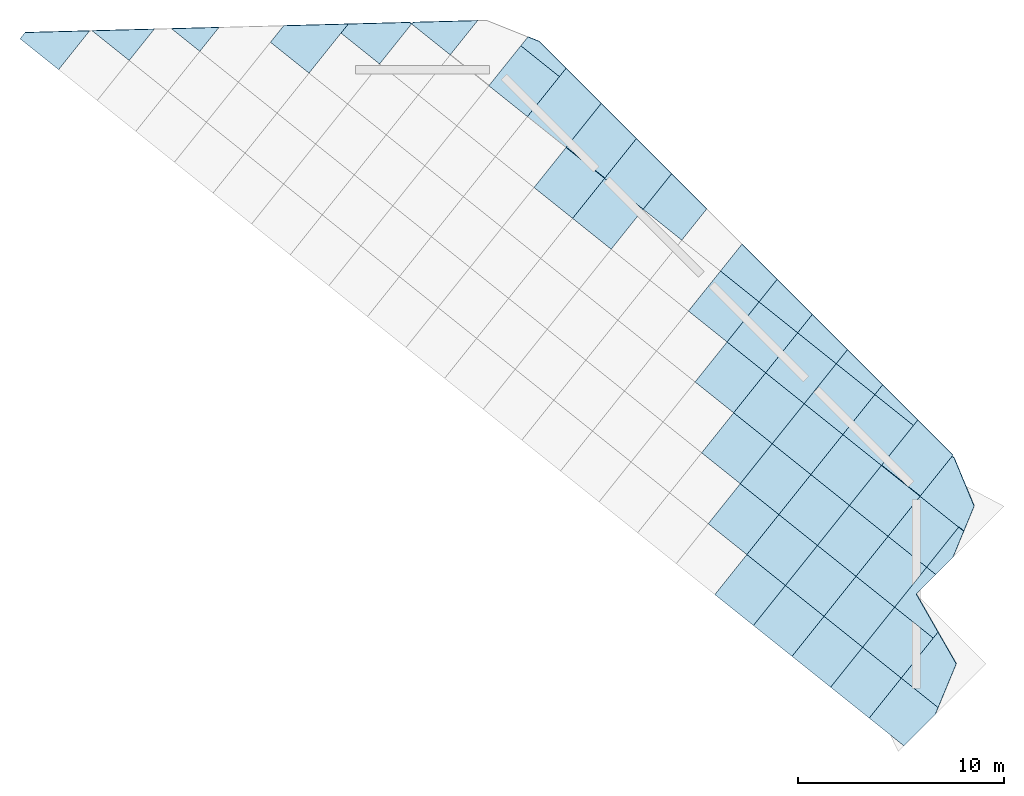
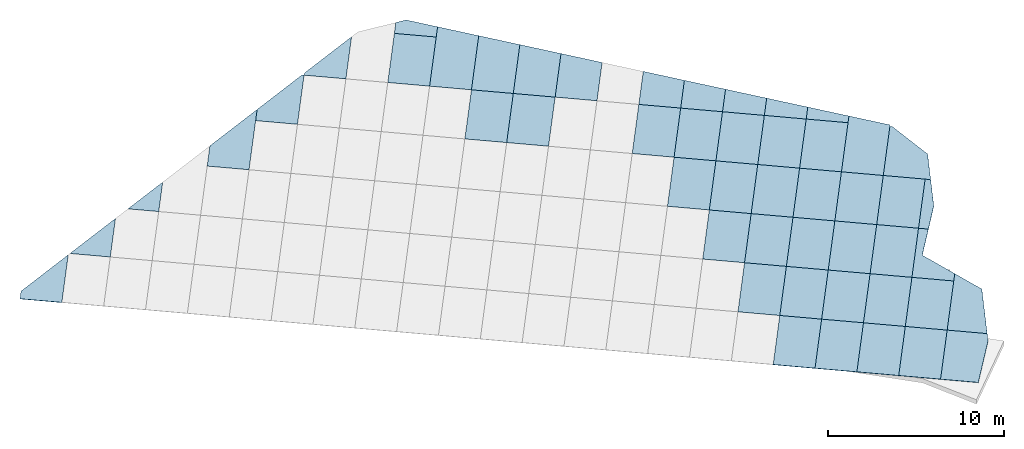
# One storey, part 2 of 2: 50 plates.
"""IFC4 building model written with IfcOpenShell, lengths in metres."""

from ifc_helpers import new_model, si_unit, direction, frame, origin, place, context, subcontext, project, spatial, polyline, outline, extrude, material, layer, layer_set, type_object, element, save


model = new_model("IFC4")

# Units and contexts
model_context = context("Model", 3, precision=1e-05, world=origin(), true_north=direction((0.0, 1.0)))
body_context = subcontext(model_context, "Body", "Model", "MODEL_VIEW")
ifc_project = project(units=[si_unit("LENGTHUNIT", "METRE"), si_unit("AREAUNIT", "SQUARE_METRE"), si_unit("VOLUMEUNIT", "CUBIC_METRE"), si_unit("PLANEANGLEUNIT", "RADIAN"), si_unit("MASSUNIT", "GRAM", prefix="KILO")], contexts=[model_context])

# Site, building, storey
site_placement = place(None, origin())
site = spatial("IfcSite", under=ifc_project, at=site_placement, CompositionType="ELEMENT")
building_placement = place(site_placement, origin())
building = spatial("IfcBuilding", under=site, at=building_placement, Name="Windrow Commons", CompositionType="ELEMENT")
storey_placement = place(building_placement, frame((0.0, 0.0, 313.4)))
storey = spatial("IfcBuildingStorey", under=building, at=storey_placement, Name="Roof", CompositionType="ELEMENT", Elevation=313.4)

# Plates
ifc_material = material(Name="Laminated glass in aluminium frame", Category="aluminium")
ifc_layer = layer(ifc_material, 0.04)
ifc_layer_set = layer_set([ifc_layer], Name="Crown glazing panel 2400x3000")
plate_type = type_object("IfcPlateType", Name="Crown glazing panel 2400x3000", PredefinedType="SHEET", material=ifc_layer_set)
plate_1_placement = place(storey_placement, frame((100.4839, 40.6752, 2.3585), z_axis=(-0.3493342148, -0.4366577576, 0.829032936), x_axis=(-0.5873162286, -0.5873535793, -0.5568441619)))
element("IfcPlate", 1, at=plate_1_placement, inside=storey, type_object=plate_type, Name="Crown glazing 228", PredefinedType="SHEET", context=body_context, shape_type="SweptSolid", body=[
    extrude(outline(polyline([(0.0, 0.0), (2.5678, 0.0), (2.7662, -2.1553), (-0.2212, -2.4305), (-0.4315, -0.1466), (0.0, 0.0)])), origin(), (0.0, 0.0, -1.0), 0.04),
])
plate_2_placement = place(storey_placement, frame((97.2857, 40.5192, 0.9287), z_axis=(-0.3493286265, -0.4366578706, 0.8290352313), x_axis=(-0.7808793494, 0.6246818722, -1.35754e-05)))
element("IfcPlate", 2, at=plate_2_placement, inside=storey, type_object=plate_type, Name="Crown glazing 229", PredefinedType="SHEET", context=body_context, shape_type="SweptSolid", body=[
    extrude(outline(polyline([(0.0, 0.0), (2.4, 0.0), (2.4, -3.0001), (0.0, -3.0), (0.0, 0.0)])), origin(), (0.0, 0.0, -1.0), 0.04),
])
plate_3_placement = place(storey_placement, frame((95.4116, 42.0184, 0.9287), z_axis=(-0.3493199284, -0.4366586479, 0.829038487), x_axis=(-0.7808679222, 0.6246961565, 7.5417e-06)))
element("IfcPlate", 3, at=plate_3_placement, inside=storey, type_object=plate_type, Name="Crown glazing 230", PredefinedType="SHEET", context=body_context, shape_type="SweptSolid", body=[
    extrude(outline(polyline([(0.0, 0.0), (2.4, 0.0), (2.4, -3.0), (0.0001, -3.0001), (0.0, 0.0)])), origin(), (0.0, 0.0, -1.0), 0.04),
])
plate_4_placement = place(storey_placement, frame((93.5375, 43.5177, 0.9287), z_axis=(-0.349330801, -0.4366576763, 0.8290344174), x_axis=(-0.7808647444, 0.6247001288, 0.0)))
element("IfcPlate", 4, at=plate_4_placement, inside=storey, type_object=plate_type, Name="Crown glazing 231", PredefinedType="SHEET", context=body_context, shape_type="SweptSolid", body=[
    extrude(outline(polyline([(0.0, 0.0), (2.4, 0.0), (2.4, -3.0), (0.0, -3.0), (0.0, 0.0)])), origin(), (0.0, 0.0, -1.0), 0.04),
])
plate_5_placement = place(storey_placement, frame((91.6634, 45.017, 0.9287), z_axis=(-0.3493199284, -0.4366586479, 0.829038487), x_axis=(-0.7808818918, 0.6246786943, -7.5419e-06)))
element("IfcPlate", 5, at=plate_5_placement, inside=storey, type_object=plate_type, Name="Crown glazing 232", PredefinedType="SHEET", context=body_context, shape_type="SweptSolid", body=[
    extrude(outline(polyline([(0.0, 0.0), (2.4, 0.0), (2.4, -3.0001), (-0.0001, -3.0), (0.0, 0.0)])), origin(), (0.0, 0.0, -1.0), 0.04),
])
plate_6_placement = place(storey_placement, frame((59.4367, 73.8873, 2.5557), z_axis=(-0.3493330598, -0.4366684946, 0.8290277674), x_axis=(-0.5178895406, -0.6473619257, -0.5592074399)))
element("IfcPlate", 6, at=plate_6_placement, inside=storey, type_object=plate_type, Name="Crown glazing 250", PredefinedType="SHEET", context=body_context, shape_type="SweptSolid", body=[
    extrude(outline(polyline([(0.0, 0.0), (2.9095, 0.0), (2.9095, -2.4), (2.4433, -2.4001), (0.0, 0.0)])), origin(), (0.0, 0.0, -1.0), 0.04),
])
plate_7_placement = place(storey_placement, frame((98.8393, 42.4613, 2.6063), z_axis=(-0.3493394993, -0.436656899, 0.8290311615), x_axis=(-0.780851026, 0.6247172762, 6.0337e-06)))
element("IfcPlate", 7, at=plate_7_placement, inside=storey, type_object=plate_type, Name="Crown glazing 251", PredefinedType="SHEET", context=body_context, shape_type="SweptSolid", body=[
    extrude(outline(polyline([(0.0, 0.0), (2.4, 0.0), (2.4001, -3.0), (0.0001, -3.0), (0.0, 0.0)])), origin(), (0.0, 0.0, -1.0), 0.04),
])
plate_8_placement = place(storey_placement, frame((96.9653, 43.9606, 2.6063), z_axis=(-0.3493252917, -0.436668265, 0.8290311616), x_axis=(-0.7808825273, 0.6246778998, -6.0334e-06)))
element("IfcPlate", 8, at=plate_8_placement, inside=storey, type_object=plate_type, Name="Crown glazing 252", PredefinedType="SHEET", context=body_context, shape_type="SweptSolid", body=[
    extrude(outline(polyline([(0.0, 0.0), (2.4, 0.0), (2.3999, -3.0), (0.0, -3.0), (0.0, 0.0)])), origin(), (0.0, 0.0, -1.0), 0.04),
])
for number, where, z_axis, x_axis, name in (
    (9, (95.0912, 45.4598, 2.6063), (-0.349330801, -0.4366576763, 0.8290344174), (-0.7808647444, 0.6247001288, 0.0), "Crown glazing 253"),
    (10, (93.2171, 46.9591, 2.6063), (-0.349330801, -0.4366576763, 0.8290344174), (-0.7808647444, 0.6247001288, 0.0), "Crown glazing 254"),
):
    element("IfcPlate", number, at=place(storey_placement, frame(where, z_axis=z_axis, x_axis=x_axis)), inside=storey, type_object=plate_type, Name=name, PredefinedType="SHEET", context=body_context, shape_type="SweptSolid", body=[
        extrude(outline(polyline([(0.0, 0.0), (2.4, 0.0), (2.4, -3.0), (0.0, -3.0), (0.0, 0.0)])), origin(), (0.0, 0.0, -1.0), 0.04),
    ])
plate_9_placement = place(storey_placement, frame((91.343, 48.4584, 2.6063), z_axis=(-0.3493165936, -0.4366690422, 0.8290344173), x_axis=(-0.7808850696, 0.6246747219, 0.0)))
element("IfcPlate", 11, at=plate_9_placement, inside=storey, type_object=plate_type, Name="Crown glazing 255", PredefinedType="SHEET", context=body_context, shape_type="SweptSolid", body=[
    extrude(outline(polyline([(0.0, 0.0), (2.4, 0.0), (2.3999, -3.0), (-0.0001, -3.0), (0.0, 0.0)])), origin(), (0.0, 0.0, -1.0), 0.04),
])
plate_10_placement = place(storey_placement, frame((62.5762, 73.9698, 3.922), z_axis=(-0.3493226563, -0.436641223, 0.8290465151), x_axis=(-0.5179116181, -0.6473682723, -0.5591796454)))
element("IfcPlate", 12, at=plate_10_placement, inside=storey, type_object=plate_type, Name="Crown glazing 271", PredefinedType="SHEET", context=body_context, shape_type="SweptSolid", body=[
    extrude(outline(polyline([(0.0, 0.0), (2.3529, 0.0), (2.3529, -2.3112), (0.0, 0.0)])), origin(), (0.0, 0.0, -1.0), 0.04),
])
plate_11_placement = place(storey_placement, frame((100.513, 47.4925, 5.9615), z_axis=(-0.3493222867, -0.4366643187, 0.8290345064), x_axis=(-0.5873361895, -0.5873380194, -0.5568395203)))
element("IfcPlate", 13, at=plate_11_placement, inside=storey, type_object=plate_type, Name="Crown glazing 272", PredefinedType="SHEET", context=body_context, shape_type="SweptSolid", body=[
    extrude(outline(polyline([(0.0, 0.0), (1.6146, 0.0), (2.373, 2.0625), (2.819, 2.1035), (3.0391, -0.2864), (0.0517, -0.5616), (0.0, 0.0)])), origin(), (0.0, 0.0, -1.0), 0.04),
])
plate_12_placement = place(storey_placement, frame((98.5189, 45.9027, 4.2839), z_axis=(-0.3493252917, -0.436668265, 0.8290311616), x_axis=(-0.7808713518, 0.6246918695, 6.0336e-06)))
element("IfcPlate", 14, at=plate_12_placement, inside=storey, type_object=plate_type, Name="Crown glazing 273", PredefinedType="SHEET", context=body_context, shape_type="SweptSolid", body=[
    extrude(outline(polyline([(0.0, 0.0), (2.3999, 0.0), (2.4, -3.0), (0.0, -3.0), (0.0, 0.0)])), origin(), (0.0, 0.0, -1.0), 0.04),
])
plate_13_placement = place(storey_placement, frame((96.6449, 47.4019, 4.2839), z_axis=(-0.3493394993, -0.436656899, 0.8290311615), x_axis=(-0.780862202, 0.6247033067, -6.0335e-06)))
element("IfcPlate", 15, at=plate_13_placement, inside=storey, type_object=plate_type, Name="Crown glazing 274", PredefinedType="SHEET", context=body_context, shape_type="SweptSolid", body=[
    extrude(outline(polyline([(0.0, 0.0), (2.4, 0.0), (2.4, -3.0), (0.0001, -3.0), (0.0, 0.0)])), origin(), (0.0, 0.0, -1.0), 0.04),
])
plate_14_placement = place(storey_placement, frame((94.7708, 48.9012, 4.2839), z_axis=(-0.349330801, -0.4366576763, 0.8290344174), x_axis=(-0.7808647444, 0.6247001288, 0.0)))
element("IfcPlate", 16, at=plate_14_placement, inside=storey, type_object=plate_type, Name="Crown glazing 275", PredefinedType="SHEET", context=body_context, shape_type="SweptSolid", body=[
    extrude(outline(polyline([(0.0, 0.0), (2.4, 0.0), (2.4, -3.0), (0.0, -3.0), (0.0, 0.0)])), origin(), (0.0, 0.0, -1.0), 0.04),
])
plate_15_placement = place(storey_placement, frame((92.8967, 50.4005, 4.2839), z_axis=(-0.3493165936, -0.4366690422, 0.8290344173), x_axis=(-0.7808850696, 0.6246747219, 0.0)))
element("IfcPlate", 17, at=plate_15_placement, inside=storey, type_object=plate_type, Name="Crown glazing 276", PredefinedType="SHEET", context=body_context, shape_type="SweptSolid", body=[
    extrude(outline(polyline([(0.0, 0.0), (2.4, 0.0), (2.3999, -3.0), (-0.0001, -3.0), (0.0, 0.0)])), origin(), (0.0, 0.0, -1.0), 0.04),
])
plate_16_placement = place(storey_placement, frame((91.0226, 51.8997, 4.2839), z_axis=(-0.349330801, -0.4366576763, 0.8290344174), x_axis=(-0.7808647444, 0.6247001288, 0.0)))
element("IfcPlate", 18, at=plate_16_placement, inside=storey, type_object=plate_type, Name="Crown glazing 277", PredefinedType="SHEET", context=body_context, shape_type="SweptSolid", body=[
    extrude(outline(polyline([(0.0, 0.0), (2.4, 0.0), (2.4, -3.0), (0.0, -3.0), (0.0, 0.0)])), origin(), (0.0, 0.0, -1.0), 0.04),
])
plate_17_placement = place(storey_placement, frame((65.7157, 74.0523, 5.2884), z_axis=(-0.3493463813, -0.436667129, 0.8290228732), x_axis=(-0.5179068504, -0.6473418098, -0.5592146955)))
element("IfcPlate", 19, at=plate_17_placement, inside=storey, type_object=plate_type, Name="Crown glazing 290", PredefinedType="SHEET", context=body_context, shape_type="SweptSolid", body=[
    extrude(outline(polyline([(0.0, 0.0), (1.7963, 0.0), (1.7963, -1.7643), (0.0, 0.0)])), origin(), (0.0, 0.0, -1.0), 0.04),
])
plate_18_placement = place(storey_placement, frame((101.3537, 48.3332, 6.7585), z_axis=(-0.3492907787, -0.436687855, 0.8290353848), x_axis=(-0.5873401562, -0.5873382612, -0.5568350814)))
element("IfcPlate", 20, at=plate_18_placement, inside=storey, type_object=plate_type, Name="Crown glazing 291", PredefinedType="SHEET", context=body_context, shape_type="SweptSolid", body=[
    extrude(outline(polyline([(0.0, 0.0), (1.4313, 0.0), (1.4831, -0.5616), (-1.5043, -0.8368), (-1.5333, -0.5211), (0.0, 0.0)])), origin(), (0.0, 0.0, -1.0), 0.04),
])
plate_19_placement = place(storey_placement, frame((100.0726, 47.8448, 5.9615), z_axis=(-0.3493165936, -0.4366690422, 0.8290344173), x_axis=(-0.7808850696, 0.6246747219, 0.0)))
element("IfcPlate", 21, at=plate_19_placement, inside=storey, type_object=plate_type, Name="Crown glazing 292", PredefinedType="SHEET", context=body_context, shape_type="SweptSolid", body=[
    extrude(outline(polyline([(0.0, 0.0), (2.4, 0.0), (2.3999, -3.0), (-0.0001, -3.0), (0.0, 0.0)])), origin(), (0.0, 0.0, -1.0), 0.04),
])
plate_20_placement = place(storey_placement, frame((98.1985, 49.344, 5.9615), z_axis=(-0.3493394993, -0.436656899, 0.8290311615), x_axis=(-0.780851026, 0.6247172762, 6.0337e-06)))
element("IfcPlate", 22, at=plate_20_placement, inside=storey, type_object=plate_type, Name="Crown glazing 293", PredefinedType="SHEET", context=body_context, shape_type="SweptSolid", body=[
    extrude(outline(polyline([(0.0, 0.0), (2.4, 0.0), (2.4001, -3.0), (0.0001, -3.0), (0.0, 0.0)])), origin(), (0.0, 0.0, -1.0), 0.04),
])
plate_21_placement = place(storey_placement, frame((96.3245, 50.8433, 5.9615), z_axis=(-0.3493394993, -0.436656899, 0.8290311615), x_axis=(-0.780862202, 0.6247033067, -6.0335e-06)))
element("IfcPlate", 23, at=plate_21_placement, inside=storey, type_object=plate_type, Name="Crown glazing 294", PredefinedType="SHEET", context=body_context, shape_type="SweptSolid", body=[
    extrude(outline(polyline([(0.0, 0.0), (2.4, 0.0), (2.4, -3.0), (0.0001, -3.0), (0.0, 0.0)])), origin(), (0.0, 0.0, -1.0), 0.04),
])
plate_22_placement = place(storey_placement, frame((94.4504, 52.3426, 5.9615), z_axis=(-0.3493199284, -0.4366586479, 0.829038487), x_axis=(-0.7808818918, 0.6246786943, -7.5419e-06)))
element("IfcPlate", 24, at=plate_22_placement, inside=storey, type_object=plate_type, Name="Crown glazing 295", PredefinedType="SHEET", context=body_context, shape_type="SweptSolid", body=[
    extrude(outline(polyline([(0.0, 0.0), (2.4, 0.0), (2.4, -3.0001), (-0.0001, -3.0), (0.0, 0.0)])), origin(), (0.0, 0.0, -1.0), 0.04),
])
plate_23_placement = place(storey_placement, frame((92.5763, 53.8418, 5.9615), z_axis=(-0.3493199284, -0.4366586479, 0.829038487), x_axis=(-0.7808679222, 0.6246961565, 7.5417e-06)))
element("IfcPlate", 25, at=plate_23_placement, inside=storey, type_object=plate_type, Name="Crown glazing 296", PredefinedType="SHEET", context=body_context, shape_type="SweptSolid", body=[
    extrude(outline(polyline([(0.0, 0.0), (2.4, 0.0), (2.4, -3.0), (0.0001, -3.0001), (0.0, 0.0)])), origin(), (0.0, 0.0, -1.0), 0.04),
])
plate_24_placement = place(storey_placement, frame((90.7022, 55.3411, 5.9615), z_axis=(-0.349330801, -0.4366576763, 0.8290344174), x_axis=(-0.7808647444, 0.6247001288, 0.0)))
element("IfcPlate", 26, at=plate_24_placement, inside=storey, type_object=plate_type, Name="Crown glazing 297", PredefinedType="SHEET", context=body_context, shape_type="SweptSolid", body=[
    extrude(outline(polyline([(0.0, 0.0), (2.4, 0.0), (2.4, -3.0), (0.0, -3.0), (0.0, 0.0)])), origin(), (0.0, 0.0, -1.0), 0.04),
])
plate_25_placement = place(storey_placement, frame((97.8781, 52.7854, 7.6391), z_axis=(-0.3493251869, -0.4366390092, 0.8290466148), x_axis=(-0.7808510258, 0.6247172765, 6.0336e-06)))
element("IfcPlate", 27, at=plate_25_placement, inside=storey, type_object=plate_type, Name="Crown glazing 308", PredefinedType="SHEET", context=body_context, shape_type="SweptSolid", body=[
    extrude(outline(polyline([(0.0, 0.0), (2.4, 0.0), (2.4001, -2.9999), (0.0001, -3.0), (0.0, 0.0)])), origin(), (0.0, 0.0, -1.0), 0.04),
])
plate_26_placement = place(storey_placement, frame((96.0041, 54.2847, 7.6391), z_axis=(-0.3493251869, -0.4366390092, 0.8290466148), x_axis=(-0.7808622022, 0.6247033064, -6.0334e-06)))
element("IfcPlate", 28, at=plate_26_placement, inside=storey, type_object=plate_type, Name="Crown glazing 309", PredefinedType="SHEET", context=body_context, shape_type="SweptSolid", body=[
    extrude(outline(polyline([(0.0, 0.0), (2.4, 0.0), (2.4, -3.0), (0.0001, -2.9999), (0.0, 0.0)])), origin(), (0.0, 0.0, -1.0), 0.04),
])
plate_27_placement = place(storey_placement, frame((94.13, 55.784, 7.6391), z_axis=(-0.349302282, -0.4366511518, 0.8290498703), x_axis=(-0.7808850696, 0.6246747219, 0.0)))
element("IfcPlate", 29, at=plate_27_placement, inside=storey, type_object=plate_type, Name="Crown glazing 310", PredefinedType="SHEET", context=body_context, shape_type="SweptSolid", body=[
    extrude(outline(polyline([(0.0, 0.0), (2.4, 0.0), (2.3999, -3.0), (-0.0001, -3.0), (0.0, 0.0)])), origin(), (0.0, 0.0, -1.0), 0.04),
])
for number, where, z_axis, x_axis, name in (
    (30, (92.2559, 57.2832, 7.6391), (-0.3493164888, -0.4366397863, 0.8290498704), (-0.7808647444, 0.6247001288, 0.0), "Crown glazing 311"),
    (31, (90.3818, 58.7825, 7.6391), (-0.3493164888, -0.4366397863, 0.8290498704), (-0.7808647444, 0.6247001288, 0.0), "Crown glazing 312"),
):
    element("IfcPlate", number, at=place(storey_placement, frame(where, z_axis=z_axis, x_axis=x_axis)), inside=storey, type_object=plate_type, Name=name, PredefinedType="SHEET", context=body_context, shape_type="SweptSolid", body=[
        extrude(outline(polyline([(0.0, 0.0), (2.4, 0.0), (2.4, -3.0), (0.0, -3.0), (0.0, 0.0)])), origin(), (0.0, 0.0, -1.0), 0.04),
    ])
plate_28_placement = place(storey_placement, frame((84.7596, 63.2803, 7.6391), z_axis=(-0.3493251869, -0.4366390092, 0.8290466148), x_axis=(-0.7808622022, 0.6247033064, -6.0334e-06)))
element("IfcPlate", 32, at=plate_28_placement, inside=storey, type_object=plate_type, Name="Crown glazing 315", PredefinedType="SHEET", context=body_context, shape_type="SweptSolid", body=[
    extrude(outline(polyline([(0.0, 0.0), (2.4, 0.0), (2.4, -3.0), (0.0001, -2.9999), (0.0, 0.0)])), origin(), (0.0, 0.0, -1.0), 0.04),
])
plate_29_placement = place(storey_placement, frame((82.8855, 64.7796, 7.6391), z_axis=(-0.349302282, -0.4366511518, 0.8290498703), x_axis=(-0.7808850696, 0.6246747219, 0.0)))
element("IfcPlate", 33, at=plate_29_placement, inside=storey, type_object=plate_type, Name="Crown glazing 316", PredefinedType="SHEET", context=body_context, shape_type="SweptSolid", body=[
    extrude(outline(polyline([(0.0, 0.0), (2.4, 0.0), (2.3999, -3.0), (-0.0001, -3.0), (0.0, 0.0)])), origin(), (0.0, 0.0, -1.0), 0.04),
])
plate_30_placement = place(storey_placement, frame((74.9718, 74.2955, 9.3166), z_axis=(-0.349324309, -0.4366425435, 0.8290451232), x_axis=(0.7809200446, -0.6246309949, 6.50008e-05)))
element("IfcPlate", 34, at=plate_30_placement, inside=storey, type_object=plate_type, Name="Crown glazing 321", PredefinedType="SHEET", context=body_context, shape_type="SweptSolid", body=[
    extrude(outline(polyline([(0.0, 0.0), (0.1241, 0.0), (0.1238, -3.0), (-2.2762, -2.9996), (-2.2761, -2.3167), (0.0, 0.0)])), origin(), (0.0, 0.0, -1.0), 0.04),
])
plate_31_placement = place(storey_placement, frame((99.6439, 54.9926, 9.5457), z_axis=(-0.3493946043, -0.4367102075, 0.8289798581), x_axis=(-0.517889388, -0.6473006928, -0.5592784591)))
element("IfcPlate", 35, at=plate_31_placement, inside=storey, type_object=plate_type, Name="Crown glazing 322", PredefinedType="SHEET", context=body_context, shape_type="SweptSolid", body=[
    extrude(outline(polyline([(0.0, 0.0), (0.4096, 0.0), (0.4097, -2.4), (-0.3215, -2.4), (0.0, 0.0)])), origin(), (0.0, 0.0, -1.0), 0.04),
])
plate_32_placement = place(storey_placement, frame((97.9364, 56.7001, 9.7255), z_axis=(-0.3493722857, -0.4367010351, 0.8289940965), x_axis=(-0.517918541, -0.647295603, -0.5592573533)))
element("IfcPlate", 36, at=plate_32_placement, inside=storey, type_object=plate_type, Name="Crown glazing 323", PredefinedType="SHEET", context=body_context, shape_type="SweptSolid", body=[
    extrude(outline(polyline([(0.0, 0.0), (0.7312, 0.0), (0.7313, -2.4), (-0.3215, -2.4), (0.0, 0.0)])), origin(), (0.0, 0.0, -1.0), 0.04),
])
plate_33_placement = place(storey_placement, frame((96.2289, 58.4076, 9.9054), z_axis=(-0.3493618904, -0.4367138063, 0.8289917496), x_axis=(-0.5178670404, -0.6473338006, -0.5592608328)))
element("IfcPlate", 37, at=plate_33_placement, inside=storey, type_object=plate_type, Name="Crown glazing 324", PredefinedType="SHEET", context=body_context, shape_type="SweptSolid", body=[
    extrude(outline(polyline([(0.0, 0.0), (1.0528, 0.0), (1.0528, -2.4), (-0.3217, -2.4), (0.0, 0.0)])), origin(), (0.0, 0.0, -1.0), 0.04),
])
plate_34_placement = place(storey_placement, frame((94.5214, 60.1151, 10.0853), z_axis=(-0.3493619899, -0.4366755747, 0.829011847), x_axis=(-0.517861851, -0.6473636895, -0.5592310406)))
element("IfcPlate", 38, at=plate_34_placement, inside=storey, type_object=plate_type, Name="Crown glazing 325", PredefinedType="SHEET", context=body_context, shape_type="SweptSolid", body=[
    extrude(outline(polyline([(0.0, 0.0), (1.3745, 0.0), (1.3745, -2.4), (-0.3217, -2.4), (0.0, 0.0)])), origin(), (0.0, 0.0, -1.0), 0.04),
])
plate_35_placement = place(storey_placement, frame((92.8139, 61.8226, 10.2651), z_axis=(-0.3493418152, -0.4366792618, 0.8290184066), x_axis=(-0.5178836929, -0.6473546161, -0.5592213171)))
element("IfcPlate", 39, at=plate_35_placement, inside=storey, type_object=plate_type, Name="Crown glazing 326", PredefinedType="SHEET", context=body_context, shape_type="SweptSolid", body=[
    extrude(outline(polyline([(0.0, 0.0), (1.6961, 0.0), (1.6961, -2.4), (-0.3217, -2.4), (0.0, 0.0)])), origin(), (0.0, 0.0, -1.0), 0.04),
])
plate_36_placement = place(storey_placement, frame((89.3989, 65.2376, 10.6249), z_axis=(-0.3493465822, -0.4366592135, 0.8290269578), x_axis=(-0.517889035, -0.6473612935, -0.5592086401)))
element("IfcPlate", 40, at=plate_36_placement, inside=storey, type_object=plate_type, Name="Crown glazing 328", PredefinedType="SHEET", context=body_context, shape_type="SweptSolid", body=[
    extrude(outline(polyline([(0.0, 0.0), (2.3395, 0.0), (2.3395, -2.4), (-0.3216, -2.4), (0.0, 0.0)])), origin(), (0.0, 0.0, -1.0), 0.04),
])
plate_37_placement = place(storey_placement, frame((87.6914, 66.9451, 10.8047), z_axis=(-0.3493396632, -0.4366663956, 0.8290260905), x_axis=(-0.5178976583, -0.6473532839, -0.5592099259)))
element("IfcPlate", 41, at=plate_37_placement, inside=storey, type_object=plate_type, Name="Crown glazing 329", PredefinedType="SHEET", context=body_context, shape_type="SweptSolid", body=[
    extrude(outline(polyline([(0.0, 0.0), (2.6611, 0.0), (2.6611, -2.4), (-0.3216, -2.4), (0.0, 0.0)])), origin(), (0.0, 0.0, -1.0), 0.04),
])
plate_38_placement = place(storey_placement, frame((80.691, 69.7202, 9.3166), z_axis=(-0.349330801, -0.4366576763, 0.8290344174), x_axis=(-0.7808647444, 0.6247001288, 0.0)))
element("IfcPlate", 42, at=plate_38_placement, inside=storey, type_object=plate_type, Name="Crown glazing 330", PredefinedType="SHEET", context=body_context, shape_type="SweptSolid", body=[
    extrude(outline(polyline([(0.0, 0.0), (2.4, 0.0), (2.4, -3.0), (0.0, -3.0), (0.0, 0.0)])), origin(), (0.0, 0.0, -1.0), 0.04),
])
plate_39_placement = place(storey_placement, frame((78.2737, 74.3823, 10.7536), z_axis=(-0.3493239594, -0.4366581695, 0.8290370404), x_axis=(-0.517900079, -0.6473653703, -0.5591936923)))
element("IfcPlate", 43, at=plate_39_placement, inside=storey, type_object=plate_type, Name="Crown glazing 331", PredefinedType="SHEET", context=body_context, shape_type="SweptSolid", body=[
    extrude(outline(polyline([(0.0, 0.0), (2.5698, 0.0), (2.5698, -2.4), (2.4434, -2.4), (0.0, 0.0)])), origin(), (0.0, 0.0, -1.0), 0.04),
])
plate_40_placement = place(storey_placement, frame((81.267, 73.3696, 11.4815), z_axis=(-0.3493393746, -0.436685069, 0.8290163761), x_axis=(0.7051281298, -0.7051746361, -0.0743172469)))
element("IfcPlate", 44, at=plate_40_placement, inside=storey, type_object=plate_type, Name="Crown glazing 332", PredefinedType="SHEET", context=body_context, shape_type="SweptSolid", body=[
    extrude(outline(polyline([(0.0, 0.0), (1.8463, 0.0), (1.9296, -0.6205), (-0.4492, -0.9394), (-0.5372, -0.283), (0.0, 0.0)])), origin(), (0.0, 0.0, -1.0), 0.04),
])
plate_41_placement = place(storey_placement, frame((100.6303, 41.0285, 2.6063), z_axis=(-0.3493207334, -0.436670023, 0.8290321563), x_axis=(-0.7808729789, 0.6246898357, 9.895e-06)))
element("IfcPlate", 45, at=plate_41_placement, inside=storey, type_object=plate_type, Name="Crown glazing 353", PredefinedType="SHEET", context=body_context, shape_type="SweptSolid", body=[
    extrude(outline(polyline([(0.0, 0.0), (2.2936, 0.0), (2.2935, -3.4479), (0.6391, -2.6604), (0.0, 0.0)])), origin(), (0.0, 0.0, -1.0), 0.04),
])
plate_42_placement = place(storey_placement, frame((99.7522, 51.2861, 7.6391), z_axis=(-0.3493120554, -0.4366486158, 0.8290470881), x_axis=(0.5179056752, 0.6473737606, 0.5591787958)))
element("IfcPlate", 46, at=plate_42_placement, inside=storey, type_object=plate_type, Name="Crown glazing 355", PredefinedType="SHEET", context=body_context, shape_type="SweptSolid", body=[
    extrude(outline(polyline([(0.0, 0.0), (3.0, 0.0), (3.0, -0.1348), (1.5289, -2.3497), (0.0001, -2.7169), (0.0, 0.0)])), origin(), (0.0, 0.0, -1.0), 0.04),
])
plate_43_placement = place(storey_placement, frame((70.0873, 71.8331, 5.9615), z_axis=(-0.3493174713, -0.4366687886, 0.829034181), x_axis=(-0.7808847748, 0.6246750904, -6.996e-07)))
element("IfcPlate", 47, at=plate_43_placement, inside=storey, type_object=plate_type, Name="Crown glazing 356", PredefinedType="SHEET", context=body_context, shape_type="SweptSolid", body=[
    extrude(outline(polyline([(0.0, 0.0), (2.4, 0.0), (2.3999, -1.2396), (-0.0001, -3.683), (0.0, 0.0)])), origin(), (0.0, 0.0, -1.0), 0.04),
])
plate_44_placement = place(storey_placement, frame((97.8782, 52.7854, 7.6391), z_axis=(-0.3493309981, -0.4366571948, 0.8290345879), x_axis=(0.5178830709, 0.647375836, 0.5591973282)))
element("IfcPlate", 48, at=plate_44_placement, inside=storey, type_object=plate_type, Name="Crown glazing 357", PredefinedType="SHEET", context=body_context, shape_type="SweptSolid", body=[
    extrude(outline(polyline([(0.0, 0.0), (3.4095, 0.0), (3.0878, -2.4), (-0.0001, -2.4), (0.0, 0.0)])), origin(), (0.0, 0.0, -1.0), 0.04),
])
plate_45_placement = place(storey_placement, frame((84.4392, 66.7217, 9.3166), z_axis=(-0.349331138, -0.4366811506, 0.8290219109), x_axis=(-0.7808837443, 0.6246763785, -3.1451e-06)))
element("IfcPlate", 49, at=plate_45_placement, inside=storey, type_object=plate_type, Name="Crown glazing 358", PredefinedType="SHEET", context=body_context, shape_type="SweptSolid", body=[
    extrude(outline(polyline([(0.0, 0.0), (2.4, 0.0), (2.3999, -3.3045), (0.0, -2.9827), (0.0, 0.0)])), origin(), (0.0, 0.0, -1.0), 0.04),
])
plate_46_placement = place(storey_placement, frame((80.691, 69.7202, 9.3166), z_axis=(-0.3493455042, -0.4366580688, 0.829028015), x_axis=(0.5178863321, 0.6473648098, 0.5592070727)))
element("IfcPlate", 50, at=plate_46_placement, inside=storey, type_object=plate_type, Name="Crown glazing 359", PredefinedType="SHEET", context=body_context, shape_type="SweptSolid", body=[
    extrude(outline(polyline([(0.0, 0.0), (3.6261, 0.0), (3.3044, -2.4), (0.0, -2.4), (0.0, 0.0)])), origin(), (0.0, 0.0, -1.0), 0.04),
])

save(model, "model.ifc")
